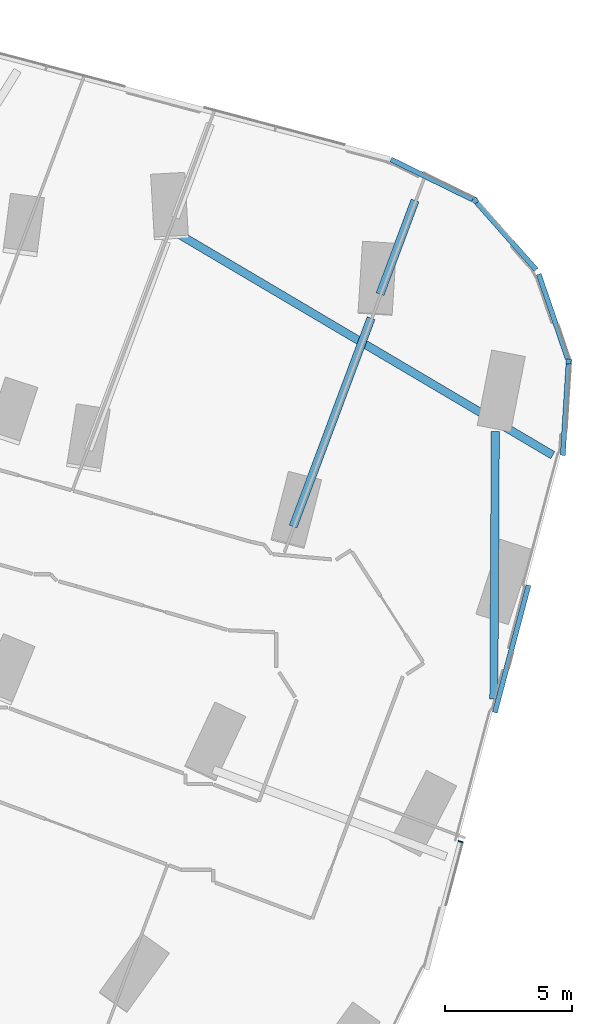
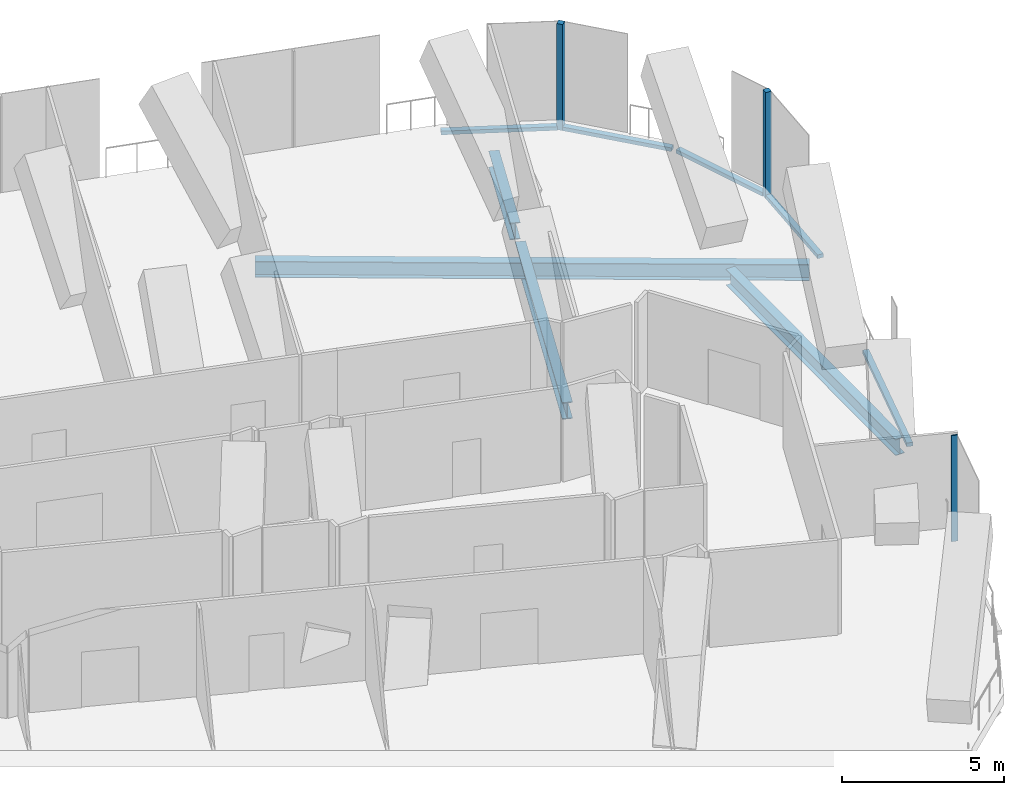
# One storey, part 11 of 34: 8 members, 4 beams, 5 elements without a shape of their own.
"""IFC4 building model written with IfcOpenShell, lengths in metres."""

from ifc_helpers import new_model, si_unit, direction, frame, origin, origin_2d, place, context, subcontext, project, spatial, rectangle, i_section, extrude, material, material_profile, profile_set, type_object, element, aggregate, save


model = new_model("IFC4")

# Units and contexts
model_context = context("Model", 3, precision=1e-05, world=origin(), true_north=direction((0.0, 1.0)))
body_context = subcontext(model_context, "Body", "Model", "MODEL_VIEW")
ifc_project = project(units=[si_unit("LENGTHUNIT", "METRE"), si_unit("AREAUNIT", "SQUARE_METRE"), si_unit("VOLUMEUNIT", "CUBIC_METRE"), si_unit("PLANEANGLEUNIT", "RADIAN"), si_unit("MASSUNIT", "GRAM", prefix="KILO")], contexts=[model_context])

# Site, building, storey
site_placement = place(None, origin())
site = spatial("IfcSite", under=ifc_project, at=site_placement, CompositionType="ELEMENT")
building_placement = place(site_placement, origin())
building = spatial("IfcBuilding", under=site, at=building_placement, Name="Orlundy Tower", CompositionType="ELEMENT")
storey_placement = place(building_placement, frame((0.0, 0.0, 98.199951171875)))
storey = spatial("IfcBuildingStorey", under=building, at=storey_placement, Name="L24", CompositionType="ELEMENT", Elevation=98.199951171875)

# Beams
ifc_material_1 = material(Name="Steel ASTM A992 Gr 50", Category="steel")
ifc_material_profile_1 = material_profile(ifc_material_1, i_section(OverallWidth=0.32373046875, OverallDepth=0.611083984375, WebThickness=0.0126953125, FlangeThickness=0.01904296875, at=origin_2d()), Name="W24X104")
ifc_profile_set_1 = profile_set([ifc_material_profile_1], Name="Steel ASTM A992 Gr 50")
beam_type_1 = type_object("IfcBeamType", Name="CANTILEVER GIRDER beam W24X104", PredefinedType="BEAM", material=ifc_profile_set_1)
beam_1_placement = place(storey_placement, frame((58.548095703125, -14.952880859375, -0.70556640625), z_axis=(0.005544432636, 0.999984629515, 0.0), x_axis=(-0.999984629515, 0.005544432636, 0.0)))
element("IfcBeam", 1, at=beam_1_placement, inside=storey, type_object=beam_type_1, Name="Cantilever girder C-A4-5 L24", PredefinedType="BEAM", context=body_context, shape_type="SweptSolid", body=[
    extrude(i_section(OverallWidth=0.32373046875, OverallDepth=0.611083984375, WebThickness=0.0126953125, FlangeThickness=0.01904296875, at=origin_2d()), origin(), (0.0, 0.0, 1.0), 10.568115234375),
])
beam_2_placement = place(storey_placement, frame((60.876708984375, -5.3251953125, -0.70556640625), z_axis=(-0.86087713547, 0.508812890585, 0.0), x_axis=(-0.508812890585, -0.86087713547, 0.0)))
element("IfcBeam", 2, at=beam_2_placement, inside=storey, type_object=beam_type_1, Name="Cantilever girder C-A5-5 L24", PredefinedType="BEAM", context=body_context, shape_type="SweptSolid", body=[
    extrude(i_section(OverallWidth=0.32373046875, OverallDepth=0.611083984375, WebThickness=0.0126953125, FlangeThickness=0.01904296875, at=origin_2d()), origin(), (0.0, 0.0, 1.0), 17.12353515625),
])
ifc_material_2 = material(Name="Steel ASTM A992 Gr 50", Category="steel")
ifc_material_profile_2 = material_profile(ifc_material_2, i_section(OverallWidth=0.3291015625, OverallDepth=0.635009765625, WebThickness=0.017822265625, FlangeThickness=0.031005859375, at=origin_2d()), Name="W24X162")
ifc_profile_set_2 = profile_set([ifc_material_profile_2], Name="Steel ASTM A992 Gr 50")
beam_type_2 = type_object("IfcBeamType", Name="CANTILEVER GIRDER beam W24X162", PredefinedType="BEAM", material=ifc_profile_set_2)
beam_3_placement = place(storey_placement, frame((55.435791015625, 4.735595703125, -0.717529296875), z_axis=(-0.350215600626, -0.936669116112, 0.0), x_axis=(0.936669116112, -0.350215600626, 0.0)))
element("IfcBeam", 3, at=beam_3_placement, inside=storey, type_object=beam_type_2, Name="Cantilever girder C-A5-3 L24", PredefinedType="BEAM", context=body_context, shape_type="SweptSolid", body=[
    extrude(i_section(OverallWidth=0.3291015625, OverallDepth=0.635009765625, WebThickness=0.017822265625, FlangeThickness=0.031005859375, at=origin_2d()), origin(), (0.0, 0.0, 1.0), 3.949951171875),
])
beam_4_placement = place(storey_placement, frame((53.699462890625, 0.092041015625, -0.717529296875), z_axis=(-0.350234715266, -0.936661969028, 0.0), x_axis=(0.936661969028, -0.350234715266, 0.0)))
element("IfcBeam", 4, at=beam_4_placement, inside=storey, type_object=beam_type_2, Name="Back-span girder C-A5-3 L24", PredefinedType="BEAM", context=body_context, shape_type="SweptSolid", body=[
    extrude(i_section(OverallWidth=0.3291015625, OverallDepth=0.635009765625, WebThickness=0.017822265625, FlangeThickness=0.031005859375, at=origin_2d()), origin(), (0.0, 0.0, 1.0), 8.792236328125),
])

# Curtain wall, member
ifc_material_3 = material(Name="Aluminium bronze anodised", Category="aluminium")
curtain_wall_type = type_object("IfcCurtainWallType", Name="CW5 wall", PredefinedType="NOTDEFINED", material=ifc_material_3)
curtain_wall_1_placement = place(storey_placement, origin())
curtain_wall_1 = element("IfcCurtainWall", 5, at=curtain_wall_1_placement, inside=storey, type_object=curtain_wall_type, Name="CW5 run 031", PredefinedType="NOTDEFINED")
ifc_material_4 = material(Name="Aluminium bronze anodised", Category="aluminium")
ifc_material_profile_3 = material_profile(ifc_material_4, rectangle(XDim=0.199951171875, YDim=0.199951171875, at=origin_2d()), Name="CW5 corner post 200x200")
ifc_profile_set_3 = profile_set([ifc_material_profile_3], Name="Aluminium bronze anodised")
member_type_1 = type_object("IfcMemberType", Name="CW5 corner post 200x200", PredefinedType="MULLION", material=ifc_profile_set_3)
member_1_placement = place(storey_placement, frame((57.811767578125, 4.72802734375, -0.39990234375), z_axis=(0.0, 0.0, 1.0), x_axis=(0.749845729605, 0.661612712841, 0.0)))
member_1 = element("IfcMember", 6, at=member_1_placement, type_object=member_type_1, Name="CW5 mullion 57", PredefinedType="MULLION", context=body_context, shape_type="SweptSolid", body=[
    extrude(rectangle(XDim=0.199951171875, YDim=0.199951171875, at=origin_2d()), origin(), (0.0, 0.0, 1.0), 4.0),
])

curtain_wall_2_placement = place(storey_placement, origin())
curtain_wall_2 = element("IfcCurtainWall", 7, at=curtain_wall_2_placement, inside=storey, type_object=curtain_wall_type, Name="CW5 run 033", PredefinedType="NOTDEFINED")
member_2_placement = place(storey_placement, frame((61.505126953125, -1.62548828125, -0.39990234375), z_axis=(0.0, 0.0, 1.0), x_axis=(0.998038906457, -0.062596654845, 0.0)))
member_2 = element("IfcMember", 8, at=member_2_placement, type_object=member_type_1, Name="CW5 mullion 59", PredefinedType="MULLION", context=body_context, shape_type="SweptSolid", body=[
    extrude(rectangle(XDim=0.199951171875, YDim=0.199951171875, at=origin_2d()), origin(), (0.0, 0.0, 1.0), 4.0),
])

curtain_wall_3_placement = place(storey_placement, origin())
curtain_wall_3 = element("IfcCurtainWall", 9, at=curtain_wall_3_placement, inside=storey, type_object=curtain_wall_type, Name="CW5 run 034", PredefinedType="NOTDEFINED")
ifc_material_5 = material(Name="Aluminium bronze anodised", Category="aluminium")
ifc_material_profile_4 = material_profile(ifc_material_5, rectangle(XDim=0.199951171875, YDim=0.050048828125, at=origin_2d()), Name="CW5 mullion 50x200")
ifc_profile_set_4 = profile_set([ifc_material_profile_4], Name="Aluminium bronze anodised")
member_type_2 = type_object("IfcMemberType", Name="CW5 mullion 50x200", PredefinedType="MULLION", material=ifc_profile_set_4)
member_3_placement = place(storey_placement, frame((57.236572265625, -20.58935546875, -0.39990234375), z_axis=(0.0, 0.0, 1.0), x_axis=(0.966679239296, -0.255990719194, 0.0)))
member_3 = element("IfcMember", 10, at=member_3_placement, type_object=member_type_2, Name="CW5 mullion 63", PredefinedType="MULLION", context=body_context, shape_type="SweptSolid", body=[
    extrude(rectangle(XDim=0.199951171875, YDim=0.050048828125, at=origin_2d()), origin(), (0.0, 0.0, 1.0), 4.0),
])

curtain_wall_4_placement = place(storey_placement, origin())
curtain_wall_4 = element("IfcCurtainWall", 11, at=curtain_wall_4_placement, inside=storey, type_object=curtain_wall_type, Name="CW5 run 030", PredefinedType="NOTDEFINED")
ifc_material_6 = material(Name="Aluminium bronze anodised", Category="aluminium")
ifc_material_profile_5 = material_profile(ifc_material_6, rectangle(XDim=0.199951171875, YDim=0.139892578125, at=origin_2d()), Name="CW5 transom 200x140")
ifc_profile_set_5 = profile_set([ifc_material_profile_5], Name="Aluminium bronze anodised")
member_type_3 = type_object("IfcMemberType", Name="CW5 transom 200x140", PredefinedType="USERDEFINED", material=ifc_profile_set_5)
member_4_placement = place(storey_placement, frame((54.478759765625, 6.360107421875, -0.329833984375), z_axis=(0.898109682893, -0.439771528744, 0.0), x_axis=(0.439771528744, 0.898109682893, 0.0)))
member_4 = element("IfcMember", 12, at=member_4_placement, type_object=member_type_3, Name="CW5 transom", ObjectType="TRANSOM", PredefinedType="USERDEFINED", context=body_context, shape_type="SweptSolid", body=[
    extrude(rectangle(XDim=0.199951171875, YDim=0.139892578125, at=origin_2d()), origin(), (0.0, 0.0, 1.0), 3.60302734375),
])
aggregate(curtain_wall_4, [member_4])

# Member
member_5_placement = place(storey_placement, frame((57.8779296875, 4.653076171875, -0.329833984375), z_axis=(0.661630767206, -0.749829799279, 0.0), x_axis=(0.749829799279, 0.661630767206, 0.0)))
member_5 = element("IfcMember", 13, at=member_5_placement, type_object=member_type_3, Name="CW5 transom", ObjectType="TRANSOM", PredefinedType="USERDEFINED", context=body_context, shape_type="SweptSolid", body=[
    extrude(rectangle(XDim=0.199951171875, YDim=0.139892578125, at=origin_2d()), origin(), (0.0, 0.0, 1.0), 3.53759765625),
])

aggregate(curtain_wall_1, [member_1, member_5])

# Curtain wall, member
curtain_wall_5_placement = place(storey_placement, origin())
curtain_wall_5 = element("IfcCurtainWall", 14, at=curtain_wall_5_placement, inside=storey, type_object=curtain_wall_type, Name="CW5 run 032", PredefinedType="NOTDEFINED")
member_6_placement = place(storey_placement, frame((60.322509765625, 1.82470703125, -0.329833984375), z_axis=(0.324246717286, -0.945972550516, 0.0), x_axis=(0.945972550516, 0.324246717286, 0.0)))
member_6 = element("IfcMember", 15, at=member_6_placement, type_object=member_type_3, Name="CW5 transom", ObjectType="TRANSOM", PredefinedType="USERDEFINED", context=body_context, shape_type="SweptSolid", body=[
    extrude(rectangle(XDim=0.199951171875, YDim=0.139892578125, at=origin_2d()), origin(), (0.0, 0.0, 1.0), 3.538818359375),
])
aggregate(curtain_wall_5, [member_6])

# Member
member_7_placement = place(storey_placement, frame((61.498779296875, -1.72509765625, -0.329833984375), z_axis=(-0.062605575751, -0.998038346901, 0.0), x_axis=(0.998038346901, -0.062605575751, 0.0)))
member_7 = element("IfcMember", 16, at=member_7_placement, type_object=member_type_3, Name="CW5 transom", ObjectType="TRANSOM", PredefinedType="USERDEFINED", context=body_context, shape_type="SweptSolid", body=[
    extrude(rectangle(XDim=0.199951171875, YDim=0.139892578125, at=origin_2d()), origin(), (0.0, 0.0, 1.0), 3.611083984375),
])

aggregate(curtain_wall_2, [member_2, member_7])

member_8_placement = place(storey_placement, frame((59.918212890625, -10.463134765625, -0.329833984375), z_axis=(-0.255967405107, -0.966685412905, 0.0), x_axis=(0.966685412905, -0.255967405107, 0.0)))
member_8 = element("IfcMember", 17, at=member_8_placement, type_object=member_type_3, Name="CW5 transom", ObjectType="TRANSOM", PredefinedType="USERDEFINED", context=body_context, shape_type="SweptSolid", body=[
    extrude(rectangle(XDim=0.199951171875, YDim=0.139892578125, at=origin_2d()), origin(), (0.0, 0.0, 1.0), 5.2001953125),
])

aggregate(curtain_wall_3, [member_3, member_8])

save(model, "model.ifc")
